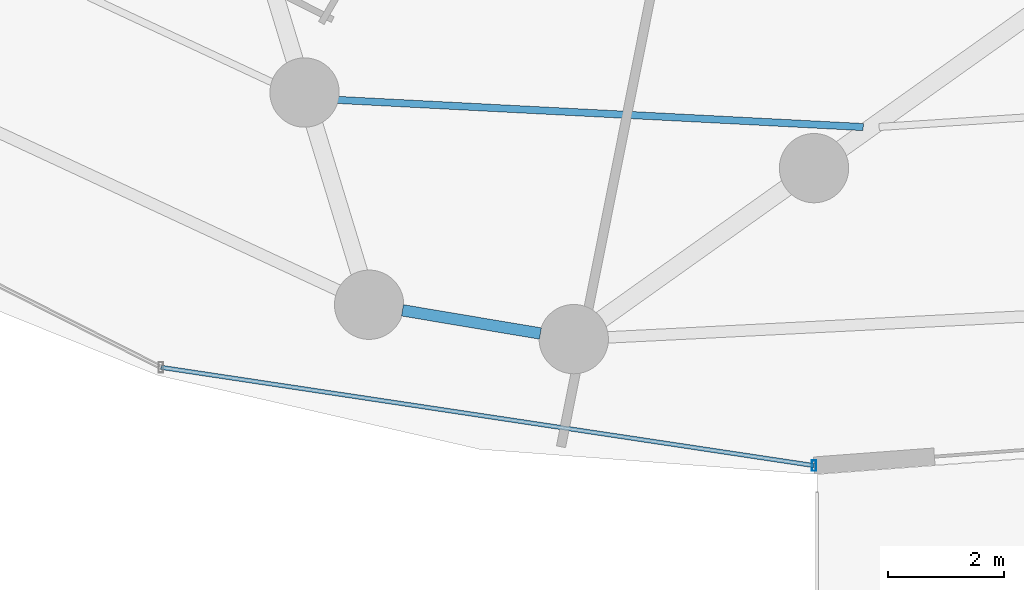
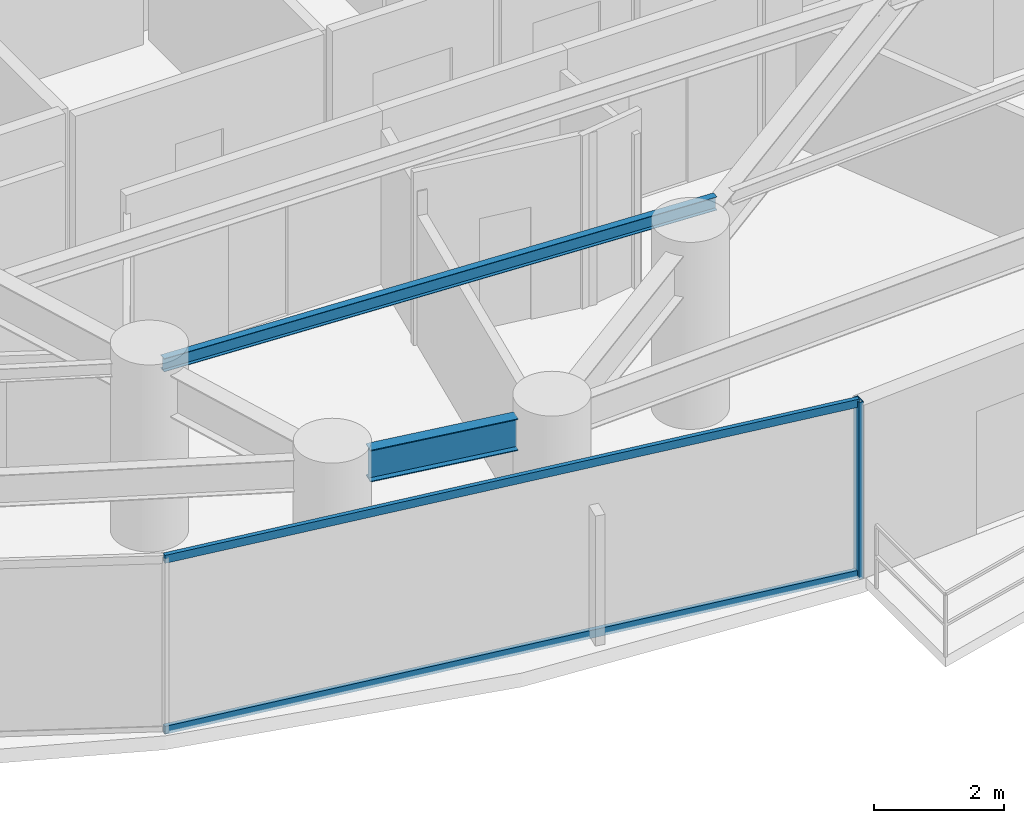
# One storey, part 6 of 35: 3 members, 2 beams, 1 element without a shape of its own.
"""IFC4 building model written with IfcOpenShell, lengths in metres."""

import ifcopenshell
import ifcopenshell.guid

model = None  # the IFC model being written
_history = None  # IfcOwnerHistory: only IFC2X3 demands one
_inside = {}  # id of a spatial element -> (the spatial element, [elements in it])
_under = {}  # id of a project, library or spatial element -> (it, [spatial elements below it])
_declared = {}  # id of a project -> (the project, [libraries it declares])
_typed = {}  # id of a type object -> (the type object, [elements of that type])
_made_of = {}  # id of a material, layer set ... -> (it, [elements and type objects made of it])


def new_model(schema):
    """Start an empty IFC model of exactly this schema.

    Asked for "IFC4X3", IfcOpenShell would pick the latest addendum, in which some entities
    have other attributes; the version numbers below select the first issue.
    IFC2X3 requires an IfcOwnerHistory on every rooted entity: one is made here for all.
    """
    global model, _history
    if schema == "IFC4X3":
        model = ifcopenshell.file(schema_version=(4, 3, 0, 0))
    else:
        model = ifcopenshell.file(schema=schema)
    _inside.clear()
    _under.clear()
    _declared.clear()
    _typed.clear()
    _made_of.clear()
    _history = None
    if model.schema == "IFC2X3":
        org = make("IfcOrganization", Name="unknown")
        user = make(
            "IfcPersonAndOrganization",
            ThePerson=make("IfcPerson", FamilyName="unknown"),
            TheOrganization=org,
        )
        app = make(
            "IfcApplication",
            ApplicationDeveloper=org,
            Version="unknown",
            ApplicationFullName="unknown",
            ApplicationIdentifier="unknown",
        )
        _history = make(
            "IfcOwnerHistory",
            OwningUser=user,
            OwningApplication=app,
            ChangeAction="ADDED",
            CreationDate=0,
        )
    return model


def make(cls, **values):
    """One entity of the class cls with the attributes given. An attribute that is None is left unset."""
    return model.create_entity(
        cls, **{name: value for name, value in values.items() if value is not None}
    )


def rooted(cls, **values):
    """An entity with a GlobalId (a new one), such as an element, a storey or a relation."""
    return make(cls, GlobalId=ifcopenshell.guid.new(), OwnerHistory=_history, **values)


def si_unit(unit_type, name, prefix=None):
    """IfcSIUnit, for example si_unit("LENGTHUNIT", "METRE", prefix="MILLI")."""
    return make("IfcSIUnit", UnitType=unit_type, Prefix=prefix, Name=name)


def assignment(units):
    """IfcUnitAssignment: the units of a project."""
    return None if units is None else make("IfcUnitAssignment", Units=units)


def point(xyz):
    """IfcCartesianPoint."""
    return None if xyz is None else make("IfcCartesianPoint", Coordinates=xyz)


def direction(xyz):
    """IfcDirection."""
    return None if xyz is None else make("IfcDirection", DirectionRatios=xyz)


def frame(location, z_axis=None, x_axis=None):
    """IfcAxis2Placement3D, a coordinate frame: its origin and axes. An axis left out is left unset."""
    return make(
        "IfcAxis2Placement3D",
        Location=point(location),
        Axis=direction(z_axis),
        RefDirection=direction(x_axis),
    )


def frame_2d(location, x_axis=None):
    """IfcAxis2Placement2D, a coordinate frame in the plane: its origin and x axis."""
    return make(
        "IfcAxis2Placement2D", Location=point(location), RefDirection=direction(x_axis)
    )


def origin():
    """The frame at (0, 0, 0) with its axes left unset."""
    return frame((0.0, 0.0, 0.0))


def origin_2d():
    """The frame at (0, 0) in the plane with its x axis left unset."""
    return frame_2d((0.0, 0.0))


def place(relative_to, where):
    """IfcLocalPlacement: puts the frame where relative to a parent placement (None: the world)."""
    return make(
        "IfcLocalPlacement", PlacementRelTo=relative_to, RelativePlacement=where
    )


def context(
    kind, dimensions, precision=None, world=None, true_north=None, identifier=None
):
    """IfcGeometricRepresentationContext, for example the 3D "Model" context."""
    return make(
        "IfcGeometricRepresentationContext",
        ContextIdentifier=identifier,
        ContextType=kind,
        CoordinateSpaceDimension=dimensions,
        Precision=precision,
        WorldCoordinateSystem=world,
        TrueNorth=true_north,
    )


def subcontext(parent, identifier, kind, view, scale=None):
    """IfcGeometricRepresentationSubContext, for example "Body" below "Model"."""
    return make(
        "IfcGeometricRepresentationSubContext",
        ContextIdentifier=identifier,
        ContextType=kind,
        ParentContext=parent,
        TargetScale=scale,
        TargetView=view,
    )


def project(units=None, contexts=None):
    """IfcProject with its units and contexts."""
    return rooted(
        "IfcProject",
        Name="project",
        RepresentationContexts=contexts,
        UnitsInContext=assignment(units),
    )


def spatial(cls, under=None, at=None, **own):
    """A site, building, storey or space (cls), placed at a placement, below another one or the project."""
    s = rooted(cls, ObjectPlacement=at, **own)
    if under is not None:
        _under.setdefault(under.id(), (under, []))[1].append(s)
    return s


def profile(cls, at=None, kind="AREA", **sizes):
    """A parametric profile (cls). Its sizes go by their IFC names, for example OverallWidth=200.0."""
    return make(cls, ProfileType=kind, Position=at, **sizes)


def hollow_rectangle(**sizes):
    """IfcRectangleHollowProfileDef."""
    return profile("IfcRectangleHollowProfileDef", **sizes)


def i_section(**sizes):
    """IfcIShapeProfileDef."""
    return profile("IfcIShapeProfileDef", **sizes)


def extrude(swept, where, along, depth):
    """IfcExtrudedAreaSolid: the profile swept, set in the frame where, extruded along a direction by depth."""
    return make(
        "IfcExtrudedAreaSolid",
        SweptArea=swept,
        Position=where,
        ExtrudedDirection=direction(along),
        Depth=depth,
    )


def shape(context_of_items, identifier, shape_type, items):
    """IfcShapeRepresentation: the items that make up one representation, for example the "Body"."""
    return make(
        "IfcShapeRepresentation",
        ContextOfItems=context_of_items,
        RepresentationIdentifier=identifier,
        RepresentationType=shape_type,
        Items=items,
    )


def material(Name=None, Category=None):
    """IfcMaterial."""
    return make("IfcMaterial", Name=Name, Category=Category)


def material_profile(
    of_material, cross_section, Name=None, Category=None, Priority=None
):
    """IfcMaterialProfile: a cross section and its material."""
    return make(
        "IfcMaterialProfile",
        Name=Name,
        Material=of_material,
        Profile=cross_section,
        Priority=Priority,
        Category=Category,
    )


def profile_set(profiles, Name=None, composite=None):
    """IfcMaterialProfileSet."""
    return make(
        "IfcMaterialProfileSet",
        Name=Name,
        MaterialProfiles=profiles,
        CompositeProfile=composite,
    )


def made_of(thing, what):
    """Note that an element or type object is made of a material, layer set ...; save() writes the relation."""
    if what is not None:
        _made_of.setdefault(what.id(), (what, []))[1].append(thing)
    return thing


def type_object(cls, material=None, **own):
    """A type object (cls), such as IfcWallType, which elements share."""
    return made_of(rooted(cls, **own), material)


def element(
    cls,
    number,
    at=None,
    inside=None,
    cuts=None,
    type_object=None,
    material=None,
    context=None,
    identifier="Body",
    shape_type=None,
    held_by="IfcProductDefinitionShape",
    body=None,
    shapes=None,
    **own,
):
    """One element of the class cls, such as IfcWall. Its Tag is "e" and its number.

    at: its placement. inside: the storey or other place that contains it. cuts: it is an
    opening in that element (IfcRelVoidsElement). A single representation is given by context,
    identifier, shape_type and body (its items); several are given by shapes. held_by: the class
    of the entity that holds the representations. save() writes the other relations.
    """
    e = rooted(cls, Tag="e%d" % number, ObjectPlacement=at, **own)
    if body is not None:
        shapes = [shape(context, identifier, shape_type, body)]
    if shapes is not None:
        e.Representation = make(held_by, Representations=shapes)
    if inside is not None:
        _inside.setdefault(inside.id(), (inside, []))[1].append(e)
    if cuts is not None:
        rooted(
            "IfcRelVoidsElement", RelatingBuildingElement=cuts, RelatedOpeningElement=e
        )
    if type_object is not None:
        _typed.setdefault(type_object.id(), (type_object, []))[1].append(e)
    return made_of(e, material)


def aggregate(whole, parts):
    """IfcRelAggregates: a whole, such as a stair, and the parts it consists of."""
    return rooted("IfcRelAggregates", RelatingObject=whole, RelatedObjects=parts)


def save(model, path):
    """Write the relations noted so far, then the file.

    IfcRelAggregates (storeys below a building ...), IfcRelContainedInSpatialStructure (elements
    in a storey), IfcRelDefinesByType, IfcRelAssociatesMaterial and IfcRelDeclares: one each for
    every whole, place, type object, material and project.
    """
    for whole, parts in _under.values():
        aggregate(whole, parts)
    for where, things in _inside.values():
        rooted(
            "IfcRelContainedInSpatialStructure",
            RelatedElements=things,
            RelatingStructure=where,
        )
    for kind, things in _typed.values():
        rooted("IfcRelDefinesByType", RelatedObjects=things, RelatingType=kind)
    for what, things in _made_of.values():
        rooted("IfcRelAssociatesMaterial", RelatedObjects=things, RelatingMaterial=what)
    for by, libraries in _declared.values():
        rooted("IfcRelDeclares", RelatingContext=by, RelatedDefinitions=libraries)
    model.write(path)


model = new_model("IFC4")

# Units and contexts
model_context = context("Model", 3, precision=1e-05, world=origin(), true_north=direction((0.0, 1.0)))
body_context = subcontext(model_context, "Body", "Model", "MODEL_VIEW")
ifc_project = project(units=[si_unit("LENGTHUNIT", "METRE"), si_unit("AREAUNIT", "SQUARE_METRE"), si_unit("VOLUMEUNIT", "CUBIC_METRE"), si_unit("PLANEANGLEUNIT", "RADIAN"), si_unit("MASSUNIT", "GRAM", prefix="KILO")], contexts=[model_context])

# Site, building, storey
site_placement = place(None, origin())
site = spatial("IfcSite", under=ifc_project, at=site_placement, CompositionType="ELEMENT")
building_placement = place(site_placement, origin())
building = spatial("IfcBuilding", under=site, at=building_placement, Name="Vorneva Point Tower", CompositionType="ELEMENT")
storey_placement = place(building_placement, frame((0.0, 0.0, 52.0)))
storey = spatial("IfcBuildingStorey", under=building, at=storey_placement, Name="L13", CompositionType="ELEMENT", Elevation=52.0)

# Beams
ifc_material_1 = material(Name="Steel S355", Category="steel")
ifc_material_profile_1 = material_profile(ifc_material_1, i_section(OverallWidth=0.1240234375, OverallDepth=0.248046875, WebThickness=0.0048828125, FlangeThickness=0.008056640625, at=origin_2d()), Name="25B1")
ifc_profile_set_1 = profile_set([ifc_material_profile_1], Name="Steel S355")
beam_type_1 = type_object("IfcBeamType", Name="BM-JST-25B1", PredefinedType="JOIST", material=ifc_profile_set_1)
beam_1_placement = place(storey_placement, frame((29.347412109375, 10.00244140625, 3.115966796875), z_axis=(0.998669908434, -0.051559809821, 0.0), x_axis=(0.051559809821, 0.998669908434, 0.0)))
element("IfcBeam", 1, at=beam_1_placement, inside=storey, type_object=beam_type_1, Name="L13 Secondary Floor Beam 1.12", PredefinedType="JOIST", context=body_context, shape_type="SweptSolid", body=[
    extrude(i_section(OverallWidth=0.1240234375, OverallDepth=0.248046875, WebThickness=0.0048828125, FlangeThickness=0.008056640625, at=origin_2d()), origin(), (0.0, 0.0, 1.0), 9.517578125),
])
ifc_material_profile_2 = material_profile(ifc_material_1, i_section(OverallWidth=0.198974609375, OverallDepth=0.595947265625, WebThickness=0.010009765625, FlangeThickness=0.014892578125, at=origin_2d()), Name="60B1")
ifc_profile_set_2 = profile_set([ifc_material_profile_2], Name="Steel S355")
beam_type_2 = type_object("IfcBeamType", Name="BM-SPN-60B1", PredefinedType="SPANDREL", material=ifc_profile_set_2)
beam_2_placement = place(storey_placement, frame((30.873779296875, 6.33837890625, 2.94189453125), z_axis=(0.986169723711, -0.165738577391, 0.0), x_axis=(0.165738577391, 0.986169723711, 0.0)))
element("IfcBeam", 2, at=beam_2_placement, inside=storey, type_object=beam_type_2, Name="L13 Perimeter Spandrel Ring Beam 12", PredefinedType="SPANDREL", context=body_context, shape_type="SweptSolid", body=[
    extrude(i_section(OverallWidth=0.198974609375, OverallDepth=0.595947265625, WebThickness=0.010009765625, FlangeThickness=0.014892578125, at=origin_2d()), origin(), (0.0, 0.0, 1.0), 2.423095703125),
])

# Curtain wall, members
ifc_material_2 = material(Name="Pale anodised aluminium", Category="aluminium")
curtain_wall_type = type_object("IfcCurtainWallType", Name="CW-HTL-SYS", PredefinedType="NOTDEFINED", material=ifc_material_2)
curtain_wall_placement = place(storey_placement, origin())
curtain_wall = element("IfcCurtainWall", 3, at=curtain_wall_placement, inside=storey, type_object=curtain_wall_type, Name="L13 Unitised Curtain Wall CW-L13-R04", PredefinedType="NOTDEFINED")
ifc_material_profile_3 = material_profile(ifc_material_2, hollow_rectangle(XDim=0.074951171875, YDim=0.179931640625, WallThickness=0.00390625, at=origin_2d()), Name="AL-MUL 180x75x4")
ifc_profile_set_3 = profile_set([ifc_material_profile_3], Name="Pale anodised aluminium")
member_type_1 = type_object("IfcMemberType", Name="CW-MUL-180", PredefinedType="MULLION", material=ifc_profile_set_3)
member_1_placement = place(storey_placement, frame((38.0, 3.64990234375, -0.0400390625), z_axis=(0.0, 0.0, 1.0), x_axis=(1.0, 0.0, 0.0)))
member_1 = element("IfcMember", 4, at=member_1_placement, type_object=member_type_1, Name="CW-L13-R04 Mullion 03", PredefinedType="MULLION", context=body_context, shape_type="SweptSolid", body=[
    extrude(hollow_rectangle(XDim=0.074951171875, YDim=0.179931640625, WallThickness=0.00390625, at=origin_2d()), origin(), (0.0, 0.0, 1.0), 3.31005859375),
])
ifc_material_profile_4 = material_profile(ifc_material_2, hollow_rectangle(XDim=0.074951171875, YDim=0.14990234375, WallThickness=0.00390625, at=origin_2d()), Name="AL-TRN 150x75x4")
ifc_profile_set_4 = profile_set([ifc_material_profile_4], Name="Pale anodised aluminium")
member_type_2 = type_object("IfcMemberType", Name="CW-TRN-150", PredefinedType="USERDEFINED", material=ifc_profile_set_4)
member_2_placement = place(storey_placement, frame((26.691650390625, 5.351318359375, 0.02001953125), z_axis=(0.988870014575, -0.148782036131, 0.0), x_axis=(0.148782036131, 0.988870014575, 0.0)))
member_2 = element("IfcMember", 5, at=member_2_placement, type_object=member_type_2, Name="CW-L13-R04 Transom 02.1", ObjectType="TRANSOM", PredefinedType="USERDEFINED", context=body_context, shape_type="SweptSolid", body=[
    extrude(hollow_rectangle(XDim=0.074951171875, YDim=0.14990234375, WallThickness=0.00390625, at=origin_2d()), origin(), (0.0, 0.0, 1.0), 11.435546875),
])
member_3_placement = place(storey_placement, frame((26.691650390625, 5.351318359375, 3.219970703125), z_axis=(0.988870014575, -0.148782036131, 0.0), x_axis=(0.148782036131, 0.988870014575, 0.0)))
member_3 = element("IfcMember", 6, at=member_3_placement, type_object=member_type_2, Name="CW-L13-R04 Transom 02.2", ObjectType="TRANSOM", PredefinedType="USERDEFINED", context=body_context, shape_type="SweptSolid", body=[
    extrude(hollow_rectangle(XDim=0.074951171875, YDim=0.14990234375, WallThickness=0.00390625, at=origin_2d()), origin(), (0.0, 0.0, 1.0), 11.435546875),
])
aggregate(curtain_wall, [member_1, member_2, member_3])

save(model, "model.ifc")
